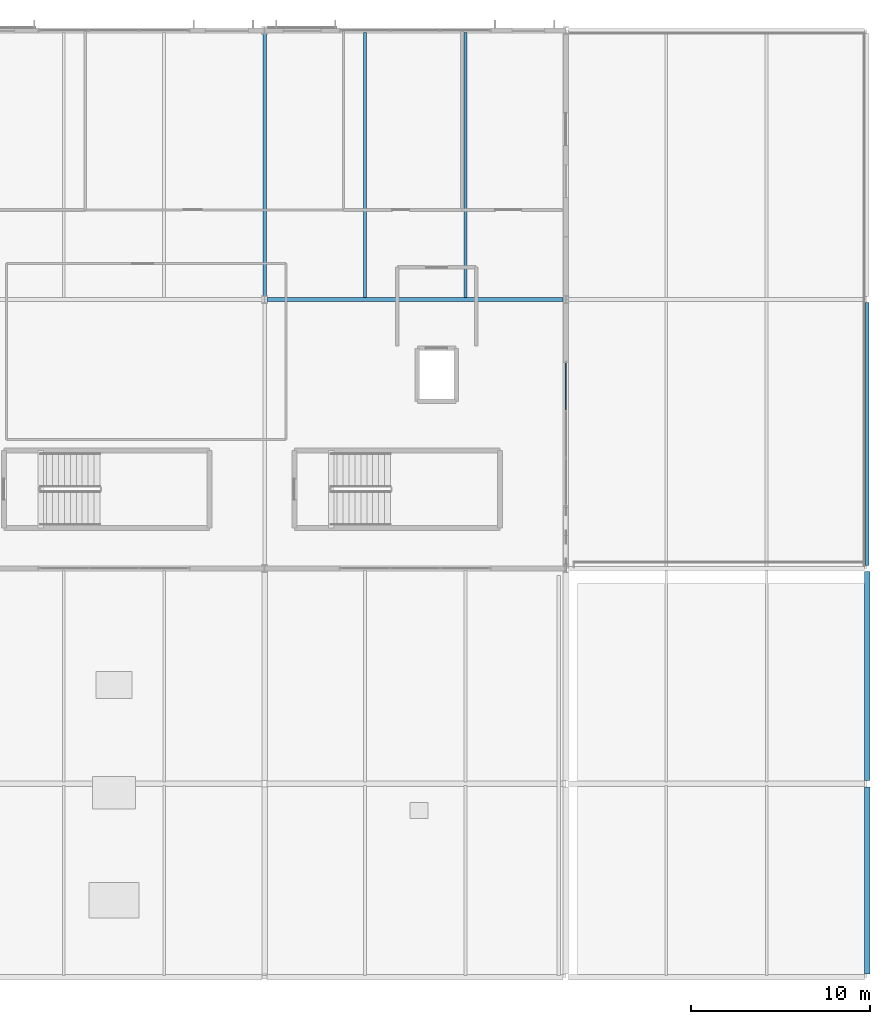
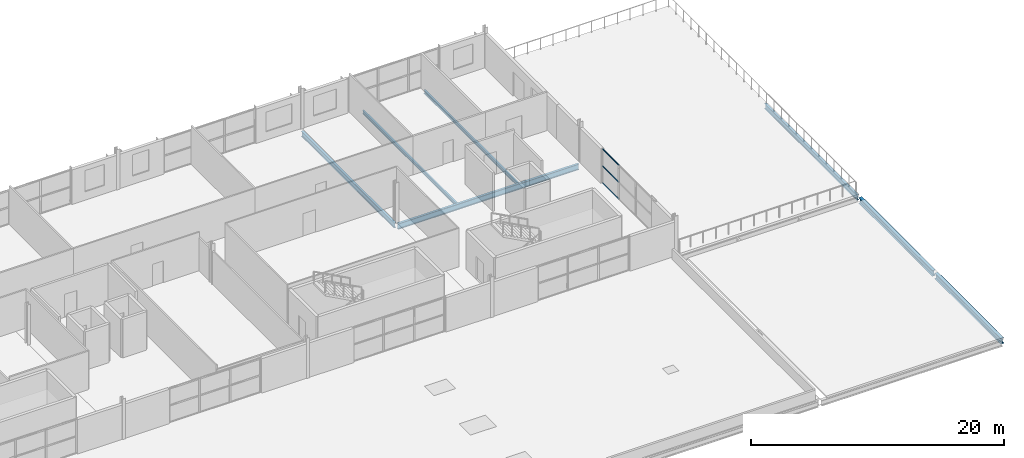
# One storey, part 22 of 36: 7 beams, 3 members, 1 element without a shape of its own.
"""IFC4 building model written with IfcOpenShell, lengths in metres."""

from ifc_helpers import new_model, si_unit, direction, frame, origin, origin_2d, place, context, subcontext, project, spatial, rectangle, i_section, extrude, material, material_profile, profile_set, type_object, element, aggregate, save


model = new_model("IFC4")

# Units and contexts
model_context = context("Model", 3, precision=1e-05, world=origin(), true_north=direction((0.0, 1.0)))
body_context = subcontext(model_context, "Body", "Model", "MODEL_VIEW")
ifc_project = project(units=[si_unit("LENGTHUNIT", "METRE"), si_unit("AREAUNIT", "SQUARE_METRE"), si_unit("VOLUMEUNIT", "CUBIC_METRE"), si_unit("PLANEANGLEUNIT", "RADIAN"), si_unit("MASSUNIT", "GRAM", prefix="KILO")], contexts=[model_context])

# Site, building, storey
site_placement = place(None, origin())
site = spatial("IfcSite", under=ifc_project, at=site_placement, CompositionType="ELEMENT")
building_placement = place(site_placement, origin())
building = spatial("IfcBuilding", under=site, at=building_placement, Name="Kimbaza Rail Terminus", CompositionType="ELEMENT")
storey_placement = place(building_placement, frame((0.0, 0.0, 21.0)))
storey = spatial("IfcBuildingStorey", under=building, at=storey_placement, Name="L04", CompositionType="ELEMENT", Elevation=21.0)

# Curtain wall, members
ifc_material_1 = material(Name="Anodised aluminium framing and solar low-E glazing", Category="aluminium")
curtain_wall_type = type_object("IfcCurtainWallType", Name="ARC-CW-OP2", PredefinedType="USERDEFINED", material=ifc_material_1)
curtain_wall_placement = place(storey_placement, origin())
curtain_wall = element("IfcCurtainWall", 1, at=curtain_wall_placement, inside=storey, type_object=curtain_wall_type, Name="Operations E Curtain Wall L04.1", ObjectType="STICK CURTAIN WALL", PredefinedType="USERDEFINED")
ifc_material_2 = material(Name="Anodised architectural aluminium", Category="aluminium")
ifc_material_profile_1 = material_profile(ifc_material_2, rectangle(XDim=0.05810546875, YDim=0.125, at=origin_2d()), Name="TRANSOM 58x125")
ifc_profile_set_1 = profile_set([ifc_material_profile_1], Name="Anodised architectural aluminium")
member_type = type_object("IfcMemberType", Name="ARC-CWT-06", PredefinedType="USERDEFINED", material=ifc_profile_set_1)
member_1_placement = place(storey_placement, frame((139.199951171875, 111.8623046875, 0.029052734375), z_axis=(0.0, 1.0, 0.0), x_axis=(-1.0, 0.0, 0.0)))
member_1 = element("IfcMember", 2, at=member_1_placement, type_object=member_type, Name="CW-06 transom 3.1", ObjectType="TRANSOM", PredefinedType="USERDEFINED", context=body_context, shape_type="SweptSolid", body=[
    extrude(rectangle(XDim=0.05810546875, YDim=0.125, at=origin_2d()), origin(), (0.0, 0.0, 1.0), 2.57958984375),
])
member_2_placement = place(storey_placement, frame((139.199951171875, 111.8623046875, 1.657470703125), z_axis=(0.0, 1.0, 0.0), x_axis=(-1.0, 0.0, 0.0)))
member_2 = element("IfcMember", 3, at=member_2_placement, type_object=member_type, Name="CW-06 transom 3.2", ObjectType="TRANSOM", PredefinedType="USERDEFINED", context=body_context, shape_type="SweptSolid", body=[
    extrude(rectangle(XDim=0.05810546875, YDim=0.125, at=origin_2d()), origin(), (0.0, 0.0, 1.0), 2.57958984375),
])
member_3_placement = place(storey_placement, frame((139.199951171875, 111.8623046875, 3.285888671875), z_axis=(0.0, 1.0, 0.0), x_axis=(-1.0, 0.0, 0.0)))
member_3 = element("IfcMember", 4, at=member_3_placement, type_object=member_type, Name="CW-06 transom 3.3", ObjectType="TRANSOM", PredefinedType="USERDEFINED", context=body_context, shape_type="SweptSolid", body=[
    extrude(rectangle(XDim=0.05810546875, YDim=0.125, at=origin_2d()), origin(), (0.0, 0.0, 1.0), 2.57958984375),
])
aggregate(curtain_wall, [member_1, member_2, member_3])

# Beams
ifc_material_3 = material(Name="Steel S355", Category="steel")
ifc_material_profile_2 = material_profile(ifc_material_3, i_section(OverallWidth=0.300048828125, OverallDepth=0.550048828125, WebThickness=0.014892578125, FlangeThickness=0.029052734375, FilletRadius=0.027099609375, at=origin_2d()), Name="HEB 550")
ifc_profile_set_2 = profile_set([ifc_material_profile_2], Name="Steel S355")
beam_type_1 = type_object("IfcBeamType", Name="STR-BM-HEB550", PredefinedType="BEAM", material=ifc_profile_set_2)
beam_1_placement = place(storey_placement, frame((156.0, 80.375, -0.449951171875), z_axis=(0.0, 1.0, 0.0), x_axis=(-1.0, 0.0, 0.0)))
element("IfcBeam", 5, at=beam_1_placement, inside=storey, type_object=beam_type_1, Name="Beam BM-BRGRFE-156-80", PredefinedType="BEAM", context=body_context, shape_type="SweptSolid", body=[
    extrude(i_section(OverallWidth=0.300048828125, OverallDepth=0.550048828125, WebThickness=0.014892578125, FlangeThickness=0.029052734375, FilletRadius=0.027099609375, at=origin_2d()), origin(), (0.0, 0.0, 1.0), 10.449951171875),
])
beam_2_placement = place(storey_placement, frame((156.0, 91.175048828125, -0.449951171875), z_axis=(0.0, 1.0, 0.0), x_axis=(-1.0, 0.0, 0.0)))
element("IfcBeam", 6, at=beam_2_placement, inside=storey, type_object=beam_type_1, Name="Beam BM-BRGRFE-156-91", PredefinedType="BEAM", context=body_context, shape_type="SweptSolid", body=[
    extrude(i_section(OverallWidth=0.300048828125, OverallDepth=0.550048828125, WebThickness=0.014892578125, FlangeThickness=0.029052734375, FilletRadius=0.027099609375, at=origin_2d()), origin(), (0.0, 0.0, 1.0), 11.64990234375),
])
ifc_material_4 = material(Name="Steel S355", Category="steel")
ifc_material_profile_3 = material_profile(ifc_material_4, i_section(OverallWidth=0.159912109375, OverallDepth=0.330078125, WebThickness=0.007568359375, FlangeThickness=0.011474609375, FilletRadius=0.01806640625, at=origin_2d()), Name="IPE 330")
ifc_profile_set_3 = profile_set([ifc_material_profile_3], Name="Steel S355")
beam_type_2 = type_object("IfcBeamType", Name="STR-BM-IPE330", PredefinedType="JOIST", material=ifc_profile_set_3)
for number, where, z_axis, x_axis, name in (
    (7, (128.0, 118.10009765625, -0.364990234375), (0.0, 1.0, 0.0), (-1.0, 0.0, 0.0), "Operations Secondary Joist L04"),
    (8, (133.60009765625, 118.10009765625, -0.364990234375), (0.0, 1.0, 0.0), (-1.0, 0.0, 0.0), "Operations Secondary Joist L04"),
):
    element("IfcBeam", number, at=place(storey_placement, frame(where, z_axis=z_axis, x_axis=x_axis)), inside=storey, type_object=beam_type_2, Name=name, PredefinedType="JOIST", context=body_context, shape_type="SweptSolid", body=[
        extrude(i_section(OverallWidth=0.159912109375, OverallDepth=0.330078125, WebThickness=0.007568359375, FlangeThickness=0.011474609375, FilletRadius=0.01806640625, at=origin_2d()), origin(), (0.0, 0.0, 1.0), 14.7998046875),
    ])
ifc_material_5 = material(Name="Steel S355", Category="steel")
ifc_material_profile_4 = material_profile(ifc_material_5, i_section(OverallWidth=0.199951171875, OverallDepth=0.5, WebThickness=0.01025390625, FlangeThickness=0.01611328125, FilletRadius=0.02099609375, at=origin_2d()), Name="IPE 500")
ifc_profile_set_4 = profile_set([ifc_material_profile_4], Name="Steel S355")
beam_type_3 = type_object("IfcBeamType", Name="STR-BM-IPE500", PredefinedType="BEAM", material=ifc_profile_set_4)
for number, where, z_axis, x_axis, name in (
    (9, (122.39990234375, 118.175048828125, -0.449951171875), (0.0, 1.0, 0.0), (-1.0, 0.0, 0.0), "Operations Cross Girder L04 X4-Y1"),
    (10, (156.0, 103.175048828125, -0.449951171875), (0.0, 1.0, 0.0), (-1.0, 0.0, 0.0), "Beam BM-TER4Y-0"),
):
    element("IfcBeam", number, at=place(storey_placement, frame(where, z_axis=z_axis, x_axis=x_axis)), inside=storey, type_object=beam_type_3, Name=name, PredefinedType="BEAM", context=body_context, shape_type="SweptSolid", body=[
        extrude(i_section(OverallWidth=0.199951171875, OverallDepth=0.5, WebThickness=0.01025390625, FlangeThickness=0.01611328125, FilletRadius=0.02099609375, at=origin_2d()), origin(), (0.0, 0.0, 1.0), 14.64990234375),
    ])
ifc_material_6 = material(Name="Steel S355", Category="steel")
ifc_material_profile_5 = material_profile(ifc_material_6, i_section(OverallWidth=0.2099609375, OverallDepth=0.550048828125, WebThickness=0.010986328125, FlangeThickness=0.01708984375, FilletRadius=0.02392578125, at=origin_2d()), Name="IPE 550")
ifc_profile_set_5 = profile_set([ifc_material_profile_5], Name="Steel S355")
beam_type_4 = type_object("IfcBeamType", Name="STR-BM-IPE550", PredefinedType="BEAM", material=ifc_profile_set_5)
beam_3_placement = place(storey_placement, frame((122.5458984375, 118.0, -0.47509765625), z_axis=(1.0, 0.0, 0.0), x_axis=(0.0, 1.0, 0.0)))
element("IfcBeam", 11, at=beam_3_placement, inside=storey, type_object=beam_type_4, Name="Operations Girder L04 X4-Y1", PredefinedType="BEAM", context=body_context, shape_type="SweptSolid", body=[
    extrude(i_section(OverallWidth=0.2099609375, OverallDepth=0.550048828125, WebThickness=0.010986328125, FlangeThickness=0.01708984375, FilletRadius=0.02392578125, at=origin_2d()), origin(), (0.0, 0.0, 1.0), 16.508056640625),
])

save(model, "model.ifc")
